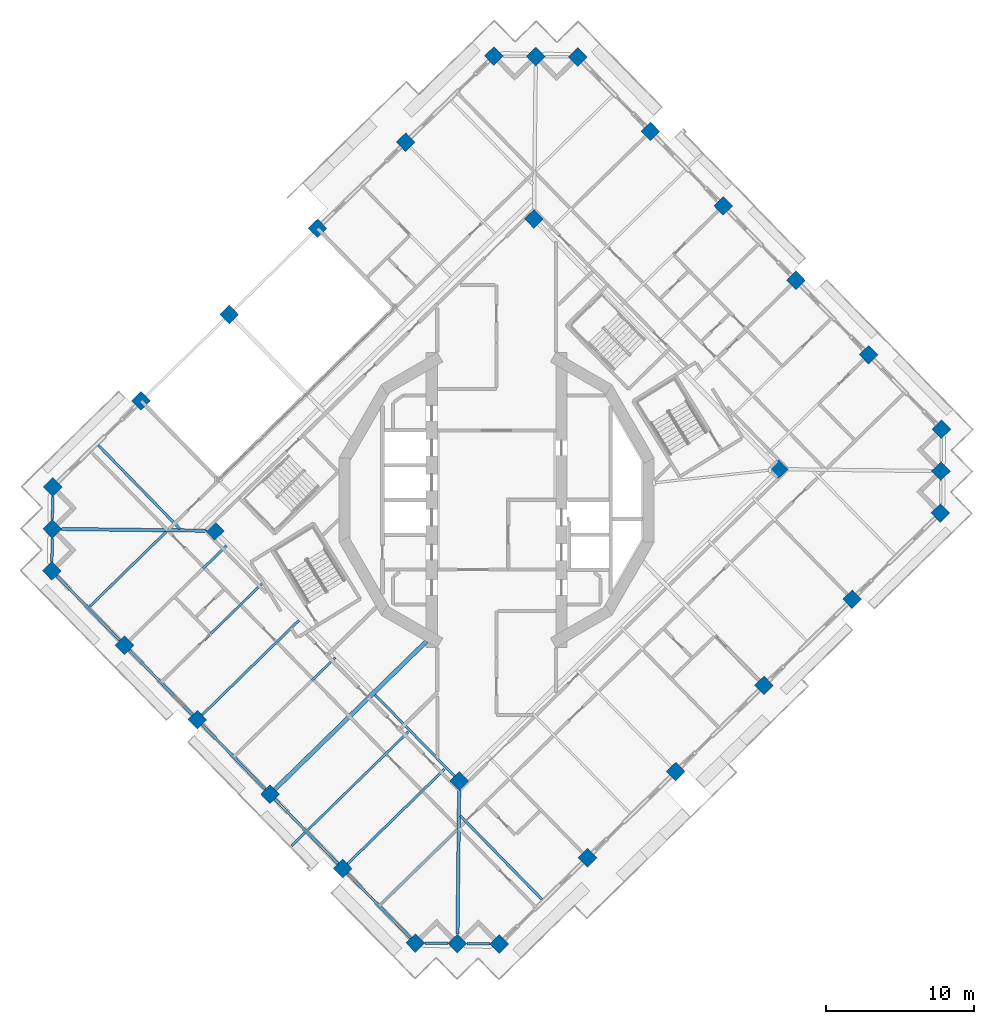
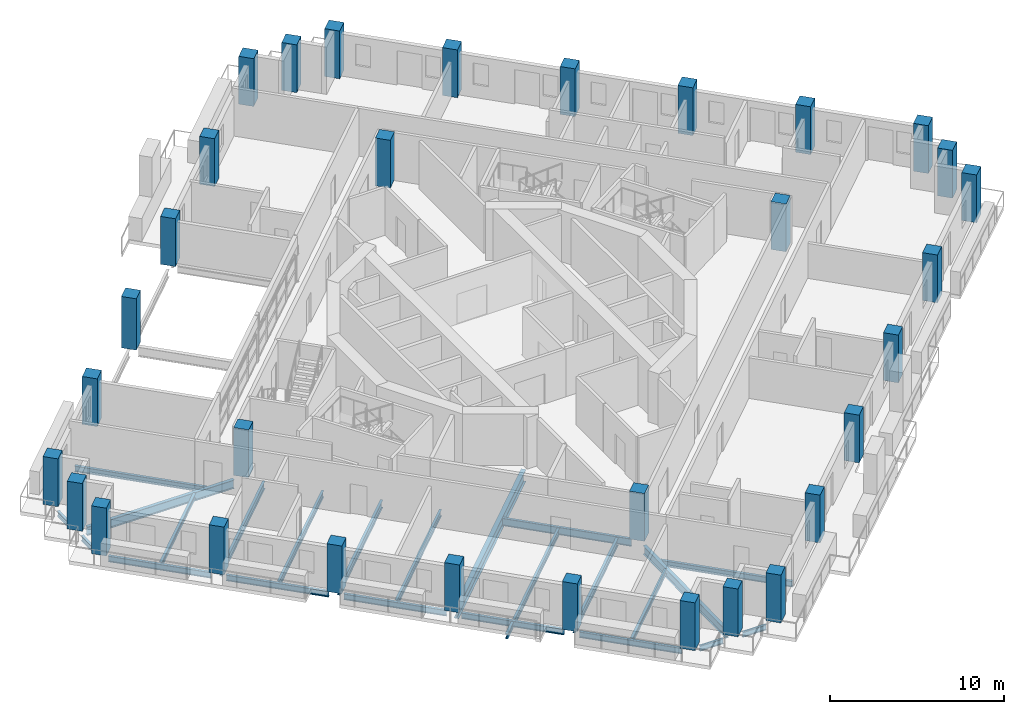
# One storey, part 1 of 21: 32 columns, 24 beams.
"""IFC4 building model written with IfcOpenShell, lengths in metres."""

from ifc_helpers import new_model, si_unit, direction, frame, origin, origin_2d, place, context, subcontext, project, spatial, rectangle, i_section, extrude, material, material_profile, profile_set, type_object, element, save


model = new_model("IFC4")

# Units and contexts
model_context = context("Model", 3, precision=1e-05, world=origin(), true_north=direction((0.0, 1.0)))
body_context = subcontext(model_context, "Body", "Model", "MODEL_VIEW")
ifc_project = project(units=[si_unit("LENGTHUNIT", "METRE"), si_unit("AREAUNIT", "SQUARE_METRE"), si_unit("VOLUMEUNIT", "CUBIC_METRE"), si_unit("PLANEANGLEUNIT", "RADIAN"), si_unit("MASSUNIT", "GRAM", prefix="KILO")], contexts=[model_context])

# Site, building, storey
site_placement = place(None, origin())
site = spatial("IfcSite", under=ifc_project, at=site_placement, CompositionType="ELEMENT")
building_placement = place(site_placement, origin())
building = spatial("IfcBuilding", under=site, at=building_placement, Name="Cantera Rosa Tower", CompositionType="ELEMENT")
storey_placement = place(building_placement, frame((0.0, 0.0, 230.60009765625)))
storey = spatial("IfcBuildingStorey", under=building, at=storey_placement, Name="L50", CompositionType="ELEMENT", Elevation=230.60009765625)

# Columns
ifc_material_1 = material(Name="Concrete C60/75", Category="concrete")
ifc_material_profile_1 = material_profile(ifc_material_1, rectangle(XDim=0.89990234375, YDim=0.89990234375, at=origin_2d()), Name="RC COLUMN RC900X900 C60/75")
ifc_profile_set_1 = profile_set([ifc_material_profile_1], Name="Concrete C60/75")
column_type_1 = type_object("IfcColumnType", Name="RC COLUMN RC900X900 C60/75", PredefinedType="COLUMN", material=ifc_profile_set_1)
for number, where, z_axis, x_axis, name in (
    (1, (30.003662109375, 4.77783203125, 0.0), (0.0, 0.0, 1.0), (0.71528629107, 0.698831540364, 0.0), "C-Z4-01 L50"),
    (2, (25.097900390625, 9.799072265625, 0.0), (0.0, 0.0, 1.0), (0.71528629107, 0.698831540364, 0.0), "C-Z4-02 L50"),
    (3, (20.19189453125, 14.8203125, 0.0), (0.0, 0.0, 1.0), (0.71528629107, 0.698831540364, 0.0), "C-Z4-03 L50"),
    (4, (15.2861328125, 19.841796875, 0.0), (0.0, 0.0, 1.0), (0.71528629107, 0.698831540364, 0.0), "C-Z4-04 L50"),
    (5, (10.38037109375, 24.863037109375, 0.0), (0.0, 0.0, 1.0), (0.71528629107, 0.698831540364, 0.0), "C-Z4-05 L50"),
    (6, (5.474609375, 29.88427734375, 0.0), (0.0, 0.0, 1.0), (0.71528629107, 0.698831540364, 0.0), "C-Z4-06 L50"),
    (7, (2.646484375, 29.917236328125, 0.0), (0.0, 0.0, 1.0), (0.71528629107, 0.698831540364, 0.0), "C-Z4-07 L50"),
    (8, (-0.181884765625, 29.9501953125, 0.0), (0.0, 0.0, 1.0), (0.71528629107, 0.698831540364, 0.0), "C-Z4-08 L50"),
    (9, (-6.133056640625, 24.1357421875, 0.0), (0.0, 0.0, 1.0), (0.71528629107, 0.698831540364, 0.0), "C-Z4-09 L50"),
    (10, (-12.084228515625, 18.321533203125, 0.0), (0.0, 0.0, 1.0), (0.71528629107, 0.698831540364, 0.0), "C-Z4-10 L50"),
):
    element("IfcColumn", number, at=place(storey_placement, frame(where, z_axis=z_axis, x_axis=x_axis)), inside=storey, type_object=column_type_1, Name=name, PredefinedType="COLUMN", context=body_context, shape_type="SweptSolid", body=[
        extrude(rectangle(XDim=0.89990234375, YDim=0.89990234375, at=origin_2d()), origin(), (0.0, 0.0, 1.0), 3.349853515625),
    ])
column_placement = place(storey_placement, frame((-18.035400390625, 12.50732421875, -0.25), z_axis=(0.0, 0.0, 1.0), x_axis=(0.71528629107, 0.698831540364, 0.0)))
element("IfcColumn", 11, at=column_placement, inside=storey, type_object=column_type_1, Name="C-Z4-11 L50", PredefinedType="COLUMN", context=body_context, shape_type="SweptSolid", body=[
    extrude(rectangle(XDim=0.89990234375, YDim=0.89990234375, at=origin_2d()), origin(), (0.0, 0.0, 1.0), 3.599853515625),
])
for number, where, z_axis, x_axis, name in (
    (12, (-23.986572265625, 6.693115234375, 0.0), (0.0, 0.0, 1.0), (0.71528629107, 0.698831540364, 0.0), "C-Z4-12 L50"),
    (13, (-29.937744140625, 0.878662109375, 0.0), (0.0, 0.0, 1.0), (0.71528629107, 0.698831540364, 0.0), "C-Z4-13 L50"),
    (14, (-29.970703125, -1.949462890625, 0.0), (0.0, 0.0, 1.0), (0.71528629107, 0.698831540364, 0.0), "C-Z4-14 L50"),
    (15, (-30.003662109375, -4.77783203125, 0.0), (0.0, 0.0, 1.0), (0.71528629107, 0.698831540364, 0.0), "C-Z4-15 L50"),
    (16, (-25.097900390625, -9.799072265625, 0.0), (0.0, 0.0, 1.0), (0.71528629107, 0.698831540364, 0.0), "C-Z4-16 L50"),
    (17, (-20.19189453125, -14.8203125, 0.0), (0.0, 0.0, 1.0), (0.71528629107, 0.698831540364, 0.0), "C-Z4-17 L50"),
    (18, (-15.2861328125, -19.841796875, 0.0), (0.0, 0.0, 1.0), (0.71528629107, 0.698831540364, 0.0), "C-Z4-18 L50"),
    (19, (-10.38037109375, -24.863037109375, 0.0), (0.0, 0.0, 1.0), (0.71528629107, 0.698831540364, 0.0), "C-Z4-19 L50"),
    (20, (-5.474609375, -29.88427734375, 0.0), (0.0, 0.0, 1.0), (0.71528629107, 0.698831540364, 0.0), "C-Z4-20 L50"),
    (21, (-2.646484375, -29.917236328125, 0.0), (0.0, 0.0, 1.0), (0.71528629107, 0.698831540364, 0.0), "C-Z4-21 L50"),
    (22, (0.181884765625, -29.9501953125, 0.0), (0.0, 0.0, 1.0), (0.71528629107, 0.698831540364, 0.0), "C-Z4-22 L50"),
    (23, (6.133056640625, -24.1357421875, 0.0), (0.0, 0.0, 1.0), (0.71528629107, 0.698831540364, 0.0), "C-Z4-23 L50"),
    (24, (12.084228515625, -18.321533203125, 0.0), (0.0, 0.0, 1.0), (0.71528629107, 0.698831540364, 0.0), "C-Z4-24 L50"),
    (25, (18.035400390625, -12.50732421875, 0.0), (0.0, 0.0, 1.0), (0.71528629107, 0.698831540364, 0.0), "C-Z4-25 L50"),
    (26, (23.986572265625, -6.693115234375, 0.0), (0.0, 0.0, 1.0), (0.71528629107, 0.698831540364, 0.0), "C-Z4-26 L50"),
    (27, (29.937744140625, -0.878662109375, 0.0), (0.0, 0.0, 1.0), (0.71528629107, 0.698831540364, 0.0), "C-Z4-27 L50"),
    (28, (29.970703125, 1.949462890625, 0.0), (0.0, 0.0, 1.0), (0.71528629107, 0.698831540364, 0.0), "C-Z4-28 L50"),
):
    element("IfcColumn", number, at=place(storey_placement, frame(where, z_axis=z_axis, x_axis=x_axis)), inside=storey, type_object=column_type_1, Name=name, PredefinedType="COLUMN", context=body_context, shape_type="SweptSolid", body=[
        extrude(rectangle(XDim=0.89990234375, YDim=0.89990234375, at=origin_2d()), origin(), (0.0, 0.0, 1.0), 3.349853515625),
    ])
ifc_material_2 = material(Name="Concrete C60/75", Category="concrete")
ifc_material_profile_2 = material_profile(ifc_material_2, rectangle(XDim=0.89990234375, YDim=0.89990234375, at=origin_2d()), Name="RC RING COLUMN RC900X900 C60/75")
ifc_profile_set_2 = profile_set([ifc_material_profile_2], Name="Concrete C60/75")
column_type_2 = type_object("IfcColumnType", Name="RC RING COLUMN RC900X900 C60/75", PredefinedType="COLUMN", material=ifc_profile_set_2)
for number, where, z_axis, x_axis, name in (
    (29, (2.518798828125, 18.957763671875, 0.0), (0.0, 0.0, 1.0), (0.71528629107, 0.698831540364, 0.0), "CI-Z4-1 L50"),
    (30, (-19.01123046875, -2.0771484375, 0.0), (0.0, 0.0, 1.0), (0.71528629107, 0.698831540364, 0.0), "CI-Z4-2 L50"),
    (31, (-2.518798828125, -18.957763671875, 0.0), (0.0, 0.0, 1.0), (0.71528629107, 0.698831540364, 0.0), "CI-Z4-3 L50"),
    (32, (19.01123046875, 2.0771484375, 0.0), (0.0, 0.0, 1.0), (0.71528629107, 0.698831540364, 0.0), "CI-Z4-4 L50"),
):
    element("IfcColumn", number, at=place(storey_placement, frame(where, z_axis=z_axis, x_axis=x_axis)), inside=storey, type_object=column_type_2, Name=name, PredefinedType="COLUMN", context=body_context, shape_type="SweptSolid", body=[
        extrude(rectangle(XDim=0.89990234375, YDim=0.89990234375, at=origin_2d()), origin(), (0.0, 0.0, 1.0), 3.349853515625),
    ])

# Beams
ifc_material_3 = material(Name="Steel ASTM A992 (Fy 345 MPa)", Category="steel")
ifc_material_profile_3 = material_profile(ifc_material_3, i_section(OverallWidth=0.166015625, OverallDepth=0.528076171875, WebThickness=0.009765625, FlangeThickness=0.013671875, FilletRadius=0.0126953125, at=origin_2d()), Name="W530X74")
ifc_profile_set_3 = profile_set([ifc_material_profile_3], Name="Steel ASTM A992 (Fy 345 MPa)")
beam_type_1 = type_object("IfcBeamType", Name="STEEL BEAM W530X74", PredefinedType="BEAM", material=ifc_profile_set_3)
for number, where, z_axis, x_axis, name in (
    (33, (-24.77587890625, -9.484619140625, -0.51416015625), (0.71529025682, 0.698827481213, 0.0), (-0.698827481213, 0.71529025682, 0.0), "G-Z4-13 L50"),
    (34, (-19.8701171875, -14.505859375, -0.51416015625), (0.71529025682, 0.698827481213, 0.0), (-0.698827481213, 0.71529025682, 0.0), "G-Z4-14 L50"),
    (35, (-10.05859375, -24.548583984375, -0.51416015625), (0.71529025682, 0.698827481213, 0.0), (-0.698827481213, 0.71529025682, 0.0), "G-Z4-16 L50"),
):
    element("IfcBeam", number, at=place(storey_placement, frame(where, z_axis=z_axis, x_axis=x_axis)), inside=storey, type_object=beam_type_1, Name=name, PredefinedType="BEAM", context=body_context, shape_type="SweptSolid", body=[
        extrude(i_section(OverallWidth=0.166015625, OverallDepth=0.528076171875, WebThickness=0.009765625, FlangeThickness=0.013671875, FilletRadius=0.0126953125, at=origin_2d()), origin(), (0.0, 0.0, 1.0), 9.14990234375),
    ])
beam_1_placement = place(storey_placement, frame((-2.833251953125, -18.635986328125, -0.51416015625), z_axis=(-0.698820376914, 0.71529719754, 0.0), x_axis=(-0.71529719754, -0.698820376914, 0.0)))
element("IfcBeam", 36, at=beam_1_placement, inside=storey, type_object=beam_type_1, Name="RB-Z4-06 L50", PredefinedType="BEAM", context=body_context, shape_type="SweptSolid", body=[
    extrude(i_section(OverallWidth=0.166015625, OverallDepth=0.528076171875, WebThickness=0.009765625, FlangeThickness=0.013671875, FilletRadius=0.0126953125, at=origin_2d()), origin(), (0.0, 0.0, 1.0), 7.690185546875),
])
ifc_material_4 = material(Name="Steel ASTM A992 (Fy 345 MPa)", Category="steel")
ifc_material_profile_4 = material_profile(ifc_material_4, i_section(OverallWidth=0.22802734375, OverallDepth=0.60205078125, WebThickness=0.010498046875, FlangeThickness=0.014892578125, FilletRadius=0.0126953125, at=origin_2d()), Name="W610X101")
ifc_profile_set_4 = profile_set([ifc_material_profile_4], Name="Steel ASTM A992 (Fy 345 MPa)")
beam_type_2 = type_object("IfcBeamType", Name="STEEL BEAM W610X101", PredefinedType="BEAM", material=ifc_profile_set_4)
for number, where, z_axis, x_axis, name in (
    (37, (-29.334228515625, -1.95703125, -0.551025390625), (0.999932504919, -0.011618330597, 0.0), (0.011618330597, 0.999932504919, 0.0), "CB-Z4-02 L50"),
    (38, (-2.638916015625, -29.28076171875, -0.551025390625), (0.011618330597, 0.999932504919, 0.0), (-0.999932504919, 0.011618330597, 0.0), "CB-Z4-03 L50"),
):
    element("IfcBeam", number, at=place(storey_placement, frame(where, z_axis=z_axis, x_axis=x_axis)), inside=storey, type_object=beam_type_2, Name=name, PredefinedType="BEAM", context=body_context, shape_type="SweptSolid", body=[
        extrude(i_section(OverallWidth=0.22802734375, OverallDepth=0.60205078125, WebThickness=0.010498046875, FlangeThickness=0.014892578125, FilletRadius=0.0126953125, at=origin_2d()), origin(), (0.0, 0.0, 1.0), 9.687255859375),
    ])
ifc_material_5 = material(Name="Steel ASTM A992 (Fy 345 MPa)", Category="steel")
ifc_material_profile_5 = material_profile(ifc_material_5, i_section(OverallWidth=0.2919921875, OverallDepth=0.8359375, WebThickness=0.013916015625, FlangeThickness=0.018798828125, FilletRadius=0.017822265625, at=origin_2d()), Name="W840X176")
ifc_profile_set_5 = profile_set([ifc_material_profile_5], Name="Steel ASTM A992 (Fy 345 MPa)")
beam_type_3 = type_object("IfcBeamType", Name="STEEL BEAM W840X176", PredefinedType="BEAM", material=ifc_profile_set_5)
beam_2_placement = place(storey_placement, frame((-14.96435546875, -19.527099609375, -0.668212890625), z_axis=(0.715288446628, 0.698829334045, 0.0), x_axis=(-0.698829334045, 0.715288446628, 0.0)))
element("IfcBeam", 39, at=beam_2_placement, inside=storey, type_object=beam_type_3, Name="G-Z4-15 L50", PredefinedType="BEAM", context=body_context, shape_type="SweptSolid", body=[
    extrude(i_section(OverallWidth=0.2919921875, OverallDepth=0.8359375, WebThickness=0.013916015625, FlangeThickness=0.018798828125, FilletRadius=0.017822265625, at=origin_2d()), origin(), (0.0, 0.0, 1.0), 14.299072265625),
])
ifc_material_6 = material(Name="Steel ASTM A992 (Fy 345 MPa)", Category="steel")
ifc_material_profile_6 = material_profile(ifc_material_6, i_section(OverallWidth=0.1708984375, OverallDepth=0.35595703125, WebThickness=0.00732421875, FlangeThickness=0.01171875, FilletRadius=0.010009765625, at=origin_2d()), Name="W360X51")
ifc_profile_set_6 = profile_set([ifc_material_profile_6], Name="Steel ASTM A992 (Fy 345 MPa)")
beam_type_4 = type_object("IfcBeamType", Name="STEEL JOIST W360X51", PredefinedType="JOIST", material=ifc_profile_set_6)
for number, where, z_axis, x_axis, name in (
    (40, (-27.443359375, -7.18359375, -0.427978515625), (0.715287213552, 0.69883059616, 0.0), (-0.69883059616, 0.715287213552, 0.0), "B-Z4-16 L50"),
    (41, (-7.8203125, -27.268798828125, -0.427978515625), (0.715287213552, 0.69883059616, 0.0), (-0.69883059616, 0.715287213552, 0.0), "B-Z4-20 L50"),
):
    element("IfcBeam", number, at=place(storey_placement, frame(where, z_axis=z_axis, x_axis=x_axis)), inside=storey, type_object=beam_type_4, Name=name, PredefinedType="JOIST", context=body_context, shape_type="SweptSolid", body=[
        extrude(i_section(OverallWidth=0.1708984375, OverallDepth=0.35595703125, WebThickness=0.00732421875, FlangeThickness=0.01171875, FilletRadius=0.010009765625, at=origin_2d()), origin(), (0.0, 0.0, 1.0), 7.2099609375),
    ])
beam_3_placement = place(storey_placement, frame((-12.92626953125, -22.443115234375, -0.427978515625), z_axis=(-0.715266175044, -0.698852129451, 0.0), x_axis=(0.698852129451, -0.715266175044, 0.0)))
element("IfcBeam", 42, at=beam_3_placement, inside=storey, type_object=beam_type_4, Name="BS-Z4-14 L50", PredefinedType="JOIST", context=body_context, shape_type="SweptSolid", body=[
    extrude(i_section(OverallWidth=0.1708984375, OverallDepth=0.35595703125, WebThickness=0.00732421875, FlangeThickness=0.01171875, FilletRadius=0.010009765625, at=origin_2d()), origin(), (0.0, 0.0, 1.0), 1.26416015625),
])
ifc_material_7 = material(Name="Steel ASTM A992 (Fy 345 MPa)", Category="steel")
ifc_material_profile_7 = material_profile(ifc_material_7, i_section(OverallWidth=0.177978515625, OverallDepth=0.406005859375, WebThickness=0.0078125, FlangeThickness=0.0126953125, FilletRadius=0.01025390625, at=origin_2d()), Name="W410X60")
ifc_profile_set_7 = profile_set([ifc_material_profile_7], Name="Steel ASTM A992 (Fy 345 MPa)")
beam_type_5 = type_object("IfcBeamType", Name="STEEL JOIST W410X60", PredefinedType="JOIST", material=ifc_profile_set_7)
for number, where, z_axis, x_axis, name in (
    (43, (-26.857421875, 3.678466796875, -0.453125), (0.698843394481, -0.715274709458, 0.0), (0.715274709458, 0.698843394481, 0.0), "B-Z4-10 L50"),
    (44, (3.052734375, -26.935791015625, -0.453125), (-0.698827868311, 0.715289878631, 0.0), (-0.715289878631, -0.698827868311, 0.0), "B-Z4-11 L50"),
):
    element("IfcBeam", number, at=place(storey_placement, frame(where, z_axis=z_axis, x_axis=x_axis)), inside=storey, type_object=beam_type_5, Name=name, PredefinedType="JOIST", context=body_context, shape_type="SweptSolid", body=[
        extrude(i_section(OverallWidth=0.177978515625, OverallDepth=0.406005859375, WebThickness=0.0078125, FlangeThickness=0.0126953125, FilletRadius=0.01025390625, at=origin_2d()), origin(), (0.0, 0.0, 1.0), 7.860107421875),
    ])
ifc_material_8 = material(Name="Steel ASTM A992 (Fy 345 MPa)", Category="steel")
ifc_material_profile_8 = material_profile(ifc_material_8, i_section(OverallWidth=0.154052734375, OverallDepth=0.4599609375, WebThickness=0.009033203125, FlangeThickness=0.015380859375, FilletRadius=0.01025390625, at=origin_2d()), Name="W460X68")
ifc_profile_set_8 = profile_set([ifc_material_profile_8], Name="Steel ASTM A992 (Fy 345 MPa)")
beam_type_6 = type_object("IfcBeamType", Name="STEEL JOIST W460X68", PredefinedType="JOIST", material=ifc_profile_set_8)
for number, where, z_axis, x_axis, name in (
    (45, (-22.53759765625, -12.204833984375, -0.47998046875), (0.715287278354, 0.698830529832, 0.0), (-0.698830529832, 0.715287278354, 0.0), "B-Z4-17 L50"),
    (46, (-17.6318359375, -17.226318359375, -0.47998046875), (0.715287278354, 0.698830529832, 0.0), (-0.698830529832, 0.715287278354, 0.0), "B-Z4-18 L50"),
    (47, (-12.72607421875, -22.24755859375, -0.47998046875), (0.715287278354, 0.698830529832, 0.0), (-0.698830529832, 0.715287278354, 0.0), "B-Z4-19 L50"),
):
    element("IfcBeam", number, at=place(storey_placement, frame(where, z_axis=z_axis, x_axis=x_axis)), inside=storey, type_object=beam_type_6, Name=name, PredefinedType="JOIST", context=body_context, shape_type="SweptSolid", body=[
        extrude(i_section(OverallWidth=0.154052734375, OverallDepth=0.4599609375, WebThickness=0.009033203125, FlangeThickness=0.015380859375, FilletRadius=0.01025390625, at=origin_2d()), origin(), (0.0, 0.0, 1.0), 9.4501953125),
    ])
ifc_material_9 = material(Name="Steel ASTM A992 (Fy 345 MPa)", Category="steel")
ifc_material_profile_9 = material_profile(ifc_material_9, i_section(OverallWidth=0.1708984375, OverallDepth=0.35595703125, WebThickness=0.00732421875, FlangeThickness=0.01171875, FilletRadius=0.010009765625, at=origin_2d()), Name="W360X51")
ifc_profile_set_9 = profile_set([ifc_material_profile_9], Name="Steel ASTM A992 (Fy 345 MPa)")
beam_type_7 = type_object("IfcBeamType", Name="STEEL SPANDREL BEAM W360X51", PredefinedType="SPANDREL", material=ifc_profile_set_9)
beam_4_placement = place(storey_placement, frame((-29.945068359375, 0.242431640625, -0.427978515625), z_axis=(-0.011769429589, -0.999930737865, 0.0), x_axis=(0.999930737865, -0.011769429589, 0.0)))
element("IfcBeam", 48, at=beam_4_placement, inside=storey, type_object=beam_type_7, Name="EB-Z4-13 L50", PredefinedType="SPANDREL", context=body_context, shape_type="SweptSolid", body=[
    extrude(i_section(OverallWidth=0.1708984375, OverallDepth=0.35595703125, WebThickness=0.00732421875, FlangeThickness=0.01171875, FilletRadius=0.010009765625, at=origin_2d()), origin(), (0.0, 0.0, 1.0), 1.5556640625),
])
for number, where, z_axis, x_axis, name in (
    (49, (-29.97802734375, -2.5859375, -0.427978515625), (-0.011614347636, -0.99993255119, 0.0), (0.99993255119, -0.011614347636, 0.0), "EB-Z4-14 L50"),
    (50, (-4.838134765625, -29.8916015625, -0.427978515625), (0.999930716123, -0.011771276677, 0.0), (0.011771276677, 0.999930716123, 0.0), "EB-Z4-20 L50"),
    (51, (-2.010009765625, -29.924560546875, -0.427978515625), (0.99993255119, -0.011614347636, 0.0), (0.011614347636, 0.99993255119, 0.0), "EB-Z4-21 L50"),
):
    element("IfcBeam", number, at=place(storey_placement, frame(where, z_axis=z_axis, x_axis=x_axis)), inside=storey, type_object=beam_type_7, Name=name, PredefinedType="SPANDREL", context=body_context, shape_type="SweptSolid", body=[
        extrude(i_section(OverallWidth=0.1708984375, OverallDepth=0.35595703125, WebThickness=0.00732421875, FlangeThickness=0.01171875, FilletRadius=0.010009765625, at=origin_2d()), origin(), (0.0, 0.0, 1.0), 1.555419921875),
    ])
ifc_material_10 = material(Name="Steel ASTM A992 (Fy 345 MPa)", Category="steel")
ifc_material_profile_10 = material_profile(ifc_material_10, i_section(OverallWidth=0.177978515625, OverallDepth=0.406005859375, WebThickness=0.0078125, FlangeThickness=0.0126953125, FilletRadius=0.01025390625, at=origin_2d()), Name="W410X60")
ifc_profile_set_10 = profile_set([ifc_material_profile_10], Name="Steel ASTM A992 (Fy 345 MPa)")
beam_type_8 = type_object("IfcBeamType", Name="STEEL SPANDREL BEAM W410X60", PredefinedType="SPANDREL", material=ifc_profile_set_10)
beam_5_placement = place(storey_placement, frame((-29.689208984375, -5.099609375, -0.453125), z_axis=(0.69882117953, -0.715296413412, 0.0), x_axis=(0.715296413412, 0.69882117953, 0.0)))
element("IfcBeam", 52, at=beam_5_placement, inside=storey, type_object=beam_type_8, Name="EB-Z4-15 L50", PredefinedType="SPANDREL", context=body_context, shape_type="SweptSolid", body=[
    extrude(i_section(OverallWidth=0.177978515625, OverallDepth=0.406005859375, WebThickness=0.0078125, FlangeThickness=0.0126953125, FilletRadius=0.01025390625, at=origin_2d()), origin(), (0.0, 0.0, 1.0), 6.1201171875),
])
for number, where, z_axis, x_axis, name in (
    (53, (-24.783203125, -10.120849609375, -0.453125), (0.698800768177, -0.715316354067, 0.0), (0.715316354067, 0.698800768177, 0.0), "EB-Z4-16 L50"),
    (54, (-19.87744140625, -15.142333984375, -0.453125), (0.698841120217, -0.71527693147, 0.0), (0.71527693147, 0.698841120217, 0.0), "EB-Z4-17 L50"),
    (55, (-14.9716796875, -20.16357421875, -0.453125), (0.698841120217, -0.71527693147, 0.0), (0.71527693147, 0.698841120217, 0.0), "EB-Z4-18 L50"),
):
    element("IfcBeam", number, at=place(storey_placement, frame(where, z_axis=z_axis, x_axis=x_axis)), inside=storey, type_object=beam_type_8, Name=name, PredefinedType="SPANDREL", context=body_context, shape_type="SweptSolid", body=[
        extrude(i_section(OverallWidth=0.177978515625, OverallDepth=0.406005859375, WebThickness=0.0078125, FlangeThickness=0.0126953125, FilletRadius=0.01025390625, at=origin_2d()), origin(), (0.0, 0.0, 1.0), 6.119873046875),
    ])
beam_6_placement = place(storey_placement, frame((-10.06591796875, -25.184814453125, -0.453125), z_axis=(0.69882117953, -0.715296413412, 0.0), x_axis=(0.715296413412, 0.69882117953, 0.0)))
element("IfcBeam", 56, at=beam_6_placement, inside=storey, type_object=beam_type_8, Name="EB-Z4-19 L50", PredefinedType="SPANDREL", context=body_context, shape_type="SweptSolid", body=[
    extrude(i_section(OverallWidth=0.177978515625, OverallDepth=0.406005859375, WebThickness=0.0078125, FlangeThickness=0.0126953125, FilletRadius=0.01025390625, at=origin_2d()), origin(), (0.0, 0.0, 1.0), 6.1201171875),
])

save(model, "model.ifc")
